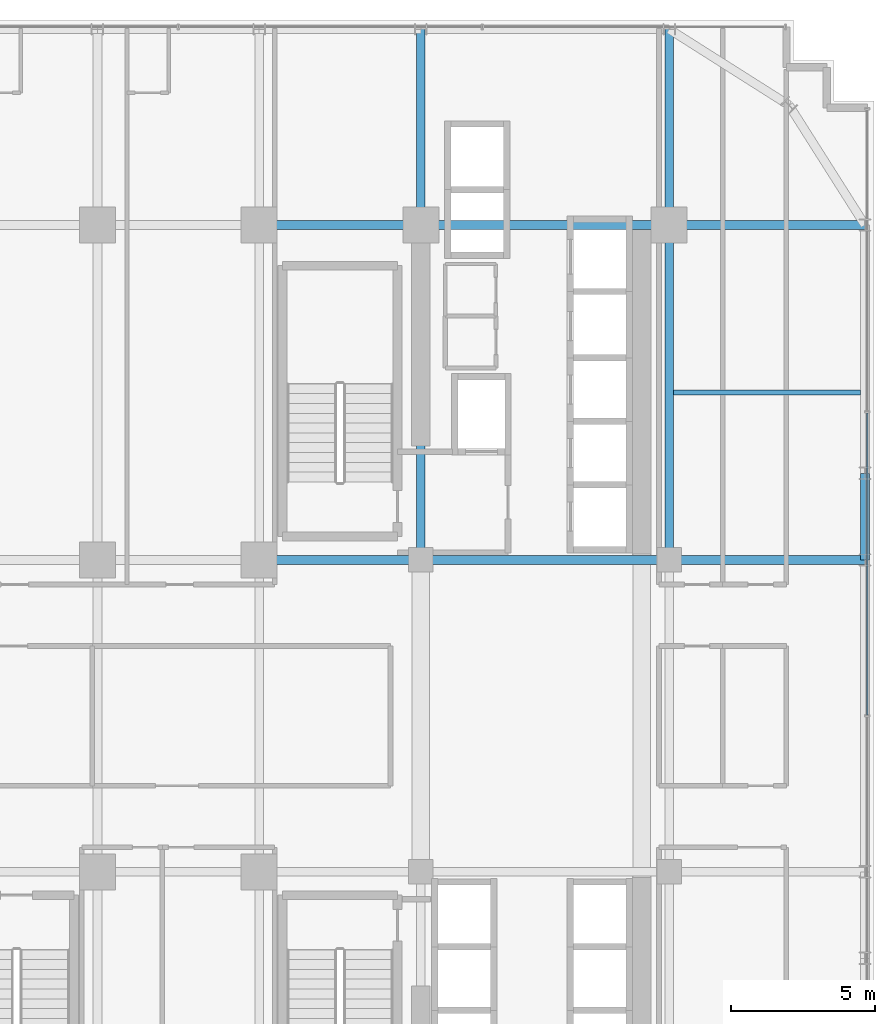
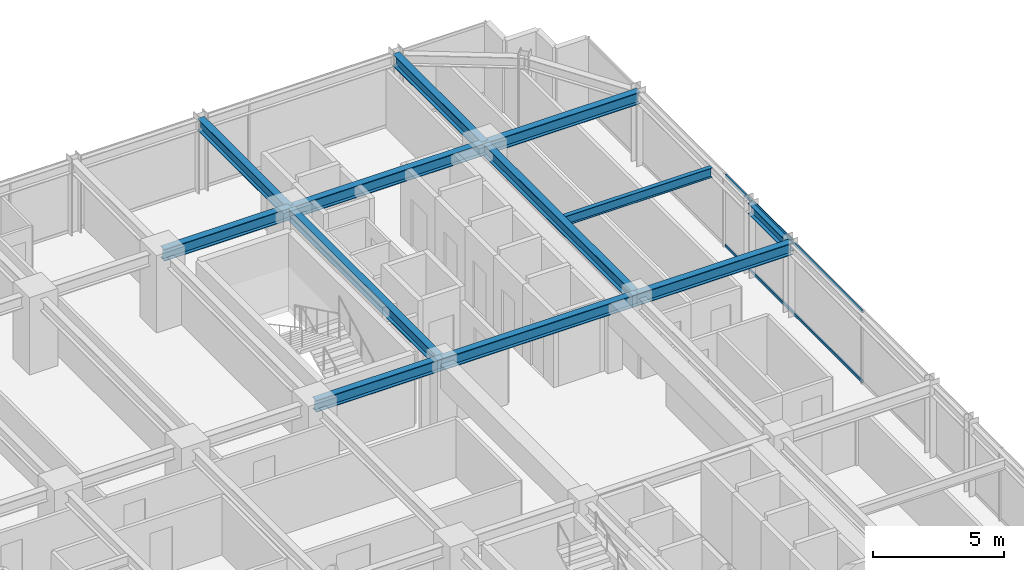
# One storey, part 20 of 31: 12 beams, 2 members, 1 element without a shape of its own.
"""IFC4 building model written with IfcOpenShell, lengths in metres."""

from ifc_helpers import new_model, si_unit, direction, frame, origin, origin_2d, place, context, subcontext, project, spatial, hollow_rectangle, i_section, extrude, source, transform, mapped, material, material_profile, profile_set, type_object, element, aggregate, save


model = new_model("IFC4")

# Units and contexts
model_context = context("Model", 3, precision=1e-05, world=origin(), true_north=direction((0.0, 1.0)))
body_context = subcontext(model_context, "Body", "Model", "MODEL_VIEW")
ifc_project = project(units=[si_unit("LENGTHUNIT", "METRE"), si_unit("AREAUNIT", "SQUARE_METRE"), si_unit("VOLUMEUNIT", "CUBIC_METRE"), si_unit("PLANEANGLEUNIT", "RADIAN"), si_unit("MASSUNIT", "GRAM", prefix="KILO")], contexts=[model_context])

# Site, building, storey
site_placement = place(None, origin())
site = spatial("IfcSite", under=ifc_project, at=site_placement, CompositionType="ELEMENT")
building_placement = place(site_placement, origin())
building = spatial("IfcBuilding", under=site, at=building_placement, Name="Nahalor Promenade Grand Hotel", CompositionType="ELEMENT")
storey_placement = place(building_placement, frame((0.0, 0.0, 95.60009765625)))
storey = spatial("IfcBuildingStorey", under=building, at=storey_placement, Name="L23", CompositionType="ELEMENT", Elevation=95.60009765625)

# Beams
ifc_material_1 = material(Name="Steel S355JR", Category="steel")
ifc_material_profile_1 = material_profile(ifc_material_1, i_section(OverallWidth=0.3, OverallDepth=0.5, WebThickness=0.0145, FlangeThickness=0.028, at=origin_2d()), Name="HEB 500")
ifc_profile_set_1 = profile_set([ifc_material_profile_1], Name="Steel S355JR")
beam_type_1 = type_object("IfcBeamType", Name="Beam-Spandrel-HEB500", PredefinedType="SPANDREL", material=ifc_profile_set_1)
shared_shape_1 = source(origin(), body_context, "Body", "SweptSolid", [
    extrude(i_section(OverallWidth=0.3, OverallDepth=0.5, WebThickness=0.0145, FlangeThickness=0.028, at=origin_2d()), origin(), (0.0, 0.0, 1.0), 3.0),
])
beam_1_placement = place(storey_placement, frame((23.780029296875, 5.39990234375, 3.1298828125), z_axis=(0.0, 1.0, 0.0), x_axis=(-1.0, 0.0, 0.0)))
element("IfcBeam", 1, at=beam_1_placement, inside=storey, type_object=beam_type_1, Name="BM-L23-SP-E-3", PredefinedType="SPANDREL", context=body_context, shape_type="MappedRepresentation", body=[
    mapped(shared_shape_1, transform((0.0, 0.0, 0.0), scale=1.0)),
])
ifc_material_profile_2 = material_profile(ifc_material_1, i_section(OverallWidth=0.3, OverallDepth=0.55, WebThickness=0.015, FlangeThickness=0.029, at=origin_2d()), Name="HEB 550")
ifc_profile_set_2 = profile_set([ifc_material_profile_2], Name="Steel S355JR")
beam_type_2 = type_object("IfcBeamType", Name="Beam-Girder-HEB550", PredefinedType="BEAM", material=ifc_profile_set_2)
shared_shape_2 = source(origin(), body_context, "Body", "SweptSolid", [
    extrude(i_section(OverallWidth=0.3, OverallDepth=0.55, WebThickness=0.015, FlangeThickness=0.029, at=origin_2d()), origin(), (0.0, 0.0, 1.0), 6.780029296875),
])
for number, where, z_axis, x_axis, name in (
    (2, (17.0, 5.39990234375, 3.10498046875), (1.0, 0.0, 0.0), (0.0, 1.0, 0.0), "BM-L23-GX-2-6"),
    (3, (17.0, 17.0, 3.10498046875), (1.0, 0.0, 0.0), (0.0, 1.0, 0.0), "BM-L23-GX-3-6"),
    (4, (8.39990234375, 17.0, 3.10498046875), (0.0, 1.0, 0.0), (-1.0, 0.0, 0.0), "BM-L23-GY-4-4"),
    (5, (17.0, 17.0, 3.10498046875), (0.0, 1.0, 0.0), (-1.0, 0.0, 0.0), "BM-L23-GY-5-4"),
):
    element("IfcBeam", number, at=place(storey_placement, frame(where, z_axis=z_axis, x_axis=x_axis)), inside=storey, type_object=beam_type_2, Name=name, PredefinedType="BEAM", context=body_context, shape_type="MappedRepresentation", body=[
        mapped(shared_shape_2, transform((0.0, 0.0, 0.0), scale=1.0)),
    ])
shared_shape_3 = source(origin(), body_context, "Body", "SweptSolid", [
    extrude(i_section(OverallWidth=0.3, OverallDepth=0.55, WebThickness=0.015, FlangeThickness=0.029, at=origin_2d()), origin(), (0.0, 0.0, 1.0), 8.60009765625),
])
for number, where, z_axis, x_axis, name in (
    (6, (8.39990234375, 5.39990234375, 3.10498046875), (1.0, 0.0, 0.0), (0.0, 1.0, 0.0), "BM-L23-GX-2-5"),
    (7, (8.39990234375, 17.0, 3.10498046875), (1.0, 0.0, 0.0), (0.0, 1.0, 0.0), "BM-L23-GX-3-5"),
):
    element("IfcBeam", number, at=place(storey_placement, frame(where, z_axis=z_axis, x_axis=x_axis)), inside=storey, type_object=beam_type_2, Name=name, PredefinedType="BEAM", context=body_context, shape_type="MappedRepresentation", body=[
        mapped(shared_shape_3, transform((0.0, 0.0, 0.0), scale=1.0)),
    ])
shared_shape_4 = source(origin(), body_context, "Body", "SweptSolid", [
    extrude(i_section(OverallWidth=0.3, OverallDepth=0.55, WebThickness=0.015, FlangeThickness=0.029, at=origin_2d()), origin(), (0.0, 0.0, 1.0), 5.599853515625),
])
for number, where, z_axis, x_axis, name in (
    (8, (2.800048828125, 5.39990234375, 3.10498046875), (1.0, 0.0, 0.0), (0.0, 1.0, 0.0), "BM-L23-GX-2-4"),
    (9, (2.800048828125, 17.0, 3.10498046875), (1.0, 0.0, 0.0), (0.0, 1.0, 0.0), "BM-L23-GX-3-4"),
):
    element("IfcBeam", number, at=place(storey_placement, frame(where, z_axis=z_axis, x_axis=x_axis)), inside=storey, type_object=beam_type_2, Name=name, PredefinedType="BEAM", context=body_context, shape_type="MappedRepresentation", body=[
        mapped(shared_shape_4, transform((0.0, 0.0, 0.0), scale=1.0)),
    ])
shared_shape_5 = source(origin(), body_context, "Body", "SweptSolid", [
    extrude(i_section(OverallWidth=0.3, OverallDepth=0.55, WebThickness=0.015, FlangeThickness=0.029, at=origin_2d()), origin(), (0.0, 0.0, 1.0), 11.60009765625),
])
for number, where, z_axis, x_axis, name in (
    (10, (8.39990234375, 5.39990234375, 3.10498046875), (0.0, 1.0, 0.0), (-1.0, 0.0, 0.0), "BM-L23-GY-4-3"),
    (11, (17.0, 5.39990234375, 3.10498046875), (0.0, 1.0, 0.0), (-1.0, 0.0, 0.0), "BM-L23-GY-5-3"),
):
    element("IfcBeam", number, at=place(storey_placement, frame(where, z_axis=z_axis, x_axis=x_axis)), inside=storey, type_object=beam_type_2, Name=name, PredefinedType="BEAM", context=body_context, shape_type="MappedRepresentation", body=[
        mapped(shared_shape_5, transform((0.0, 0.0, 0.0), scale=1.0)),
    ])
ifc_material_profile_3 = material_profile(ifc_material_1, i_section(OverallWidth=0.19, OverallDepth=0.45, WebThickness=0.0094, FlangeThickness=0.0146, at=origin_2d()), Name="IPE 450")
ifc_profile_set_3 = profile_set([ifc_material_profile_3], Name="Steel S355JR")
beam_type_3 = type_object("IfcBeamType", Name="Beam-Joist-IPE450", PredefinedType="JOIST", material=ifc_profile_set_3)
shared_shape_6 = source(origin(), body_context, "Body", "SweptSolid", [
    extrude(i_section(OverallWidth=0.19, OverallDepth=0.45, WebThickness=0.0094, FlangeThickness=0.0146, at=origin_2d()), origin(), (0.0, 0.0, 1.0), 6.47998046875),
])
beam_2_placement = place(storey_placement, frame((17.14990234375, 11.199951171875, 3.15478515625), z_axis=(1.0, 0.0, 0.0), x_axis=(0.0, 1.0, 0.0)))
element("IfcBeam", 12, at=beam_2_placement, inside=storey, type_object=beam_type_3, Name="BM-L23-JSE-1-2", PredefinedType="JOIST", context=body_context, shape_type="MappedRepresentation", body=[
    mapped(shared_shape_6, transform((0.0, 0.0, 0.0), scale=1.0)),
])

# Curtain wall, members
ifc_material_2 = material(Name="Anodised Bronze Aluminium EN AW-6063 T6", Category="aluminium")
curtain_wall_type = type_object("IfcCurtainWallType", Name="CW2 Typical Hotel Flush Bronze Unitised Curtain Wall", PredefinedType="USERDEFINED", material=ifc_material_2)
curtain_wall_placement = place(storey_placement, origin())
curtain_wall = element("IfcCurtainWall", 13, at=curtain_wall_placement, inside=storey, type_object=curtain_wall_type, Name="L23 Curtain Wall CW-L23-E-1", ObjectType="UNITISED_CURTAIN_WALL", PredefinedType="USERDEFINED")
ifc_material_profile_4 = material_profile(ifc_material_2, hollow_rectangle(XDim=0.065, YDim=0.13, WallThickness=0.004, at=origin_2d()), Name="CWT 65x130x4")
ifc_profile_set_4 = profile_set([ifc_material_profile_4], Name="Anodised Bronze Aluminium EN AW-6063 T6")
member_type = type_object("IfcMemberType", Name="CWT2 Typical Bronze Transom 65x130", PredefinedType="USERDEFINED", material=ifc_profile_set_4)
shared_shape_7 = source(origin(), body_context, "Body", "SweptSolid", [
    extrude(hollow_rectangle(XDim=0.065, YDim=0.13, WallThickness=0.004, at=origin_2d()), origin(), (0.0, 0.0, 1.0), 10.465087890625),
])
member_1_placement = place(storey_placement, frame((23.860107421875, 0.032470703125, 0.06494140625), z_axis=(0.0, 1.0, 0.0), x_axis=(-1.0, 0.0, 0.0)))
member_1 = element("IfcMember", 14, at=member_1_placement, type_object=member_type, Name="CW-L23-E-1 Transom 2-0", ObjectType="TRANSOM", PredefinedType="USERDEFINED", context=body_context, shape_type="MappedRepresentation", body=[
    mapped(shared_shape_7, transform((0.0, 0.0, 0.0), scale=1.0)),
])
member_2_placement = place(storey_placement, frame((23.860107421875, 0.032470703125, 3.31494140625), z_axis=(0.0, 1.0, 0.0), x_axis=(-1.0, 0.0, 0.0)))
member_2 = element("IfcMember", 15, at=member_2_placement, type_object=member_type, Name="CW-L23-E-1 Transom 2-1", ObjectType="TRANSOM", PredefinedType="USERDEFINED", context=body_context, shape_type="MappedRepresentation", body=[
    mapped(shared_shape_7, transform((0.0, 0.0, 0.0), scale=1.0)),
])
aggregate(curtain_wall, [member_1, member_2])

save(model, "model.ifc")
